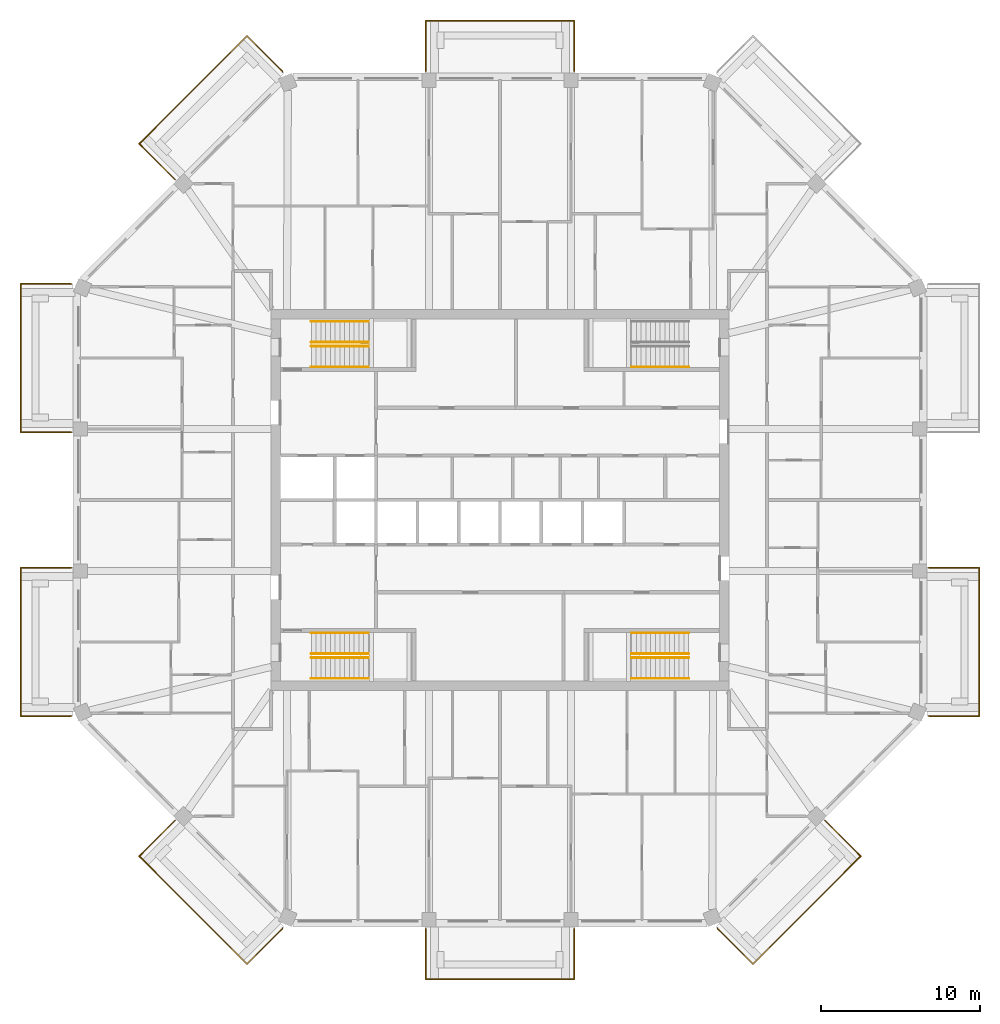
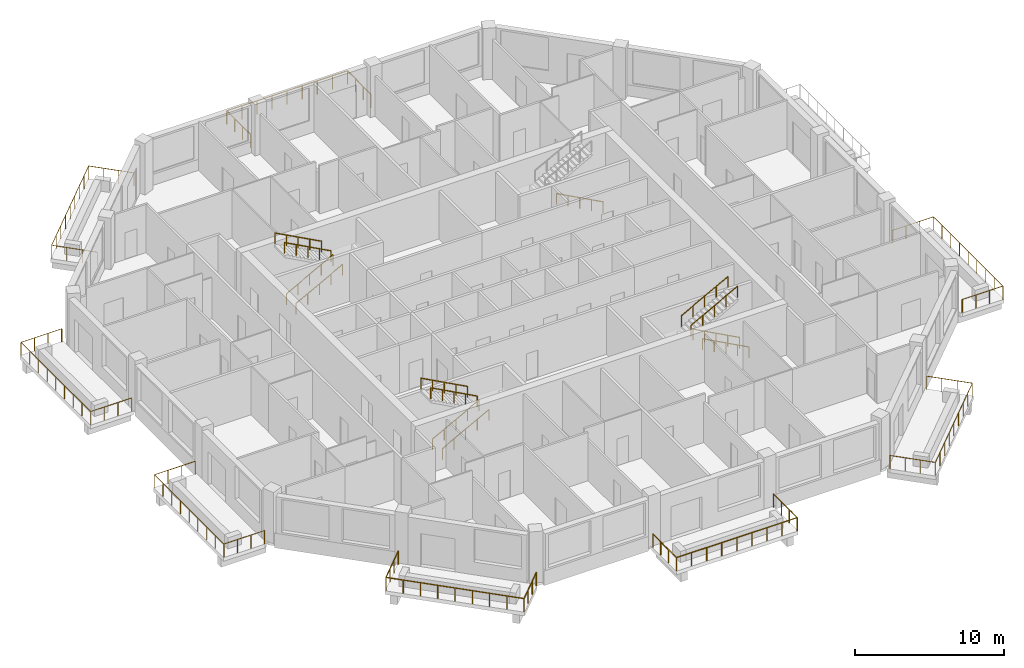
# One storey, part 11 of 12: 21 railings.
"""IFC4 building model written with IfcOpenShell, lengths in metres."""

from ifc_helpers import new_model, si_unit, direction, frame, origin, origin_2d, place, context, subcontext, project, spatial, circle, extrude, material, constituent, constituent_set, type_object, element, save


model = new_model("IFC4")

# Units and contexts
model_context = context("Model", 3, precision=1e-05, world=origin(), true_north=direction((0.0, 1.0)))
body_context = subcontext(model_context, "Body", "Model", "MODEL_VIEW")
ifc_project = project(units=[si_unit("LENGTHUNIT", "METRE"), si_unit("AREAUNIT", "SQUARE_METRE"), si_unit("VOLUMEUNIT", "CUBIC_METRE"), si_unit("PLANEANGLEUNIT", "RADIAN"), si_unit("MASSUNIT", "GRAM", prefix="KILO")], contexts=[model_context])

# Site, building, storey
site_placement = place(None, origin())
site = spatial("IfcSite", under=ifc_project, at=site_placement, CompositionType="ELEMENT")
building_placement = place(site_placement, origin())
building = spatial("IfcBuilding", under=site, at=building_placement, Name="Msitu Wima Residences", CompositionType="ELEMENT")
storey_placement = place(building_placement, frame((0.0, 0.0, 276.89990234375)))
storey = spatial("IfcBuildingStorey", under=building, at=storey_placement, Name="L64", CompositionType="ELEMENT", Elevation=276.89990234375)

# Railings
ifc_material_1 = material(Name="Steel S355", Category="steel")
ifc_constituent_1 = constituent(ifc_material_1, Name="Steel S355")
ifc_material_2 = material(Name="Weathering patina")
ifc_constituent_2 = constituent(ifc_material_2, Name="Weathering patina")
ifc_constituent_set_1 = constituent_set(constituents=[ifc_constituent_1, ifc_constituent_2], Name="Steel S355")
railing_type_1 = type_object("IfcRailingType", Name="Balcony guard GR1100", PredefinedType="GUARDRAIL", material=ifc_constituent_set_1)
railing_1_placement = place(storey_placement, frame((26.97998046875, -4.2685546875, 0.0)))
element("IfcRailing", 1, at=railing_1_placement, inside=storey, type_object=railing_type_1, Name="Balcony guard E0 L64", PredefinedType="GUARDRAIL", context=body_context, shape_type="SweptSolid", body=[
    extrude(circle(Radius=0.02392578125, at=origin_2d()), frame((0.0, 0.0, 1.076171875), z_axis=(1.0, 0.0, 0.0), x_axis=(0.0, 1.0, 0.0)), (0.0, 0.0, 1.0), 3.169921875),
    extrude(circle(Radius=0.02392578125, at=origin_2d()), frame((3.169921875, 0.0, 1.076171875), z_axis=(0.0, -1.0, 0.0), x_axis=(1.0, 0.0, 0.0)), (0.0, 0.0, 1.0), 9.33740234375),
    extrude(circle(Radius=0.02392578125, at=origin_2d()), frame((3.169921875, -9.33740234375, 1.076171875), z_axis=(-1.0, 0.0, 0.0), x_axis=(0.0, -1.0, 0.0)), (0.0, 0.0, 1.0), 3.136474609375),
    extrude(circle(Radius=0.02392578125, at=origin_2d()), frame((0.033447265625, -9.33740234375, 1.076171875), z_axis=(-0.923276184907, 0.384136806859, 0.0), x_axis=(-0.384136806859, -0.923276184907, 0.0)), (0.0, 0.0, 1.0), 0.0361328125),
    extrude(circle(Radius=0.02099609375, at=origin_2d()), origin(), (0.0, 0.0, 1.0), 1.052001953125),
    extrude(circle(Radius=0.02099609375, at=origin_2d()), frame((1.056640625, 0.0, 0.0)), (0.0, 0.0, 1.0), 1.052001953125),
    extrude(circle(Radius=0.02099609375, at=origin_2d()), frame((2.11328125, 0.0, 0.0)), (0.0, 0.0, 1.0), 1.052001953125),
    extrude(circle(Radius=0.02099609375, at=origin_2d()), frame((3.169921875, 0.0, 0.0)), (0.0, 0.0, 1.0), 1.052001953125),
    extrude(circle(Radius=0.02099609375, at=origin_2d()), frame((3.169921875, -1.167236328125, 0.0)), (0.0, 0.0, 1.0), 1.052001953125),
    extrude(circle(Radius=0.02099609375, at=origin_2d()), frame((3.169921875, -2.33447265625, 0.0)), (0.0, 0.0, 1.0), 1.052001953125),
    extrude(circle(Radius=0.02099609375, at=origin_2d()), frame((3.169921875, -3.50146484375, 0.0)), (0.0, 0.0, 1.0), 1.052001953125),
    extrude(circle(Radius=0.02099609375, at=origin_2d()), frame((3.169921875, -4.668701171875, 0.0)), (0.0, 0.0, 1.0), 1.052001953125),
    extrude(circle(Radius=0.02099609375, at=origin_2d()), frame((3.169921875, -5.8359375, 0.0)), (0.0, 0.0, 1.0), 1.052001953125),
    extrude(circle(Radius=0.02099609375, at=origin_2d()), frame((3.169921875, -7.0029296875, 0.0)), (0.0, 0.0, 1.0), 1.052001953125),
    extrude(circle(Radius=0.02099609375, at=origin_2d()), frame((3.169921875, -8.170166015625, 0.0)), (0.0, 0.0, 1.0), 1.052001953125),
    extrude(circle(Radius=0.02099609375, at=origin_2d()), frame((3.169921875, -9.33740234375, 0.0)), (0.0, 0.0, 1.0), 1.052001953125),
    extrude(circle(Radius=0.02099609375, at=origin_2d()), frame((2.12451171875, -9.33740234375, 0.0)), (0.0, 0.0, 1.0), 1.052001953125),
    extrude(circle(Radius=0.02099609375, at=origin_2d()), frame((1.078857421875, -9.33740234375, 0.0)), (0.0, 0.0, 1.0), 1.052001953125),
    extrude(circle(Radius=0.02099609375, at=origin_2d()), frame((0.033447265625, -9.33740234375, 0.0)), (0.0, 0.0, 1.0), 1.052001953125),
    extrude(circle(Radius=0.02099609375, at=origin_2d()), frame((0.0, -9.323486328125, 0.0)), (0.0, 0.0, 1.0), 1.052001953125),
])
railing_2_placement = place(storey_placement, frame((-4.668701171875, 26.97998046875, 0.0)))
element("IfcRailing", 2, at=railing_2_placement, inside=storey, type_object=railing_type_1, Name="Balcony guard N1 L64", PredefinedType="GUARDRAIL", context=body_context, shape_type="SweptSolid", body=[
    extrude(circle(Radius=0.02392578125, at=origin_2d()), frame((0.0, 0.0, 1.076171875), z_axis=(0.0, 1.0, 0.0), x_axis=(-1.0, 0.0, 0.0)), (0.0, 0.0, 1.0), 3.169921875),
    extrude(circle(Radius=0.02392578125, at=origin_2d()), frame((0.0, 3.169921875, 1.076171875), z_axis=(1.0, 0.0, 0.0), x_axis=(0.0, 1.0, 0.0)), (0.0, 0.0, 1.0), 9.33740234375),
    extrude(circle(Radius=0.02392578125, at=origin_2d()), frame((9.33740234375, 3.169921875, 1.076171875), z_axis=(0.0, -1.0, 0.0), x_axis=(1.0, 0.0, 0.0)), (0.0, 0.0, 1.0), 3.169921875),
    extrude(circle(Radius=0.02099609375, at=origin_2d()), origin(), (0.0, 0.0, 1.0), 1.052001953125),
    extrude(circle(Radius=0.02099609375, at=origin_2d()), frame((0.0, 1.056640625, 0.0)), (0.0, 0.0, 1.0), 1.052001953125),
    extrude(circle(Radius=0.02099609375, at=origin_2d()), frame((0.0, 2.11328125, 0.0)), (0.0, 0.0, 1.0), 1.052001953125),
    extrude(circle(Radius=0.02099609375, at=origin_2d()), frame((0.0, 3.169921875, 0.0)), (0.0, 0.0, 1.0), 1.052001953125),
    extrude(circle(Radius=0.02099609375, at=origin_2d()), frame((1.167236328125, 3.169921875, 0.0)), (0.0, 0.0, 1.0), 1.052001953125),
    extrude(circle(Radius=0.02099609375, at=origin_2d()), frame((2.33447265625, 3.169921875, 0.0)), (0.0, 0.0, 1.0), 1.052001953125),
    extrude(circle(Radius=0.02099609375, at=origin_2d()), frame((3.50146484375, 3.169921875, 0.0)), (0.0, 0.0, 1.0), 1.052001953125),
    extrude(circle(Radius=0.02099609375, at=origin_2d()), frame((4.668701171875, 3.169921875, 0.0)), (0.0, 0.0, 1.0), 1.052001953125),
    extrude(circle(Radius=0.02099609375, at=origin_2d()), frame((5.8359375, 3.169921875, 0.0)), (0.0, 0.0, 1.0), 1.052001953125),
    extrude(circle(Radius=0.02099609375, at=origin_2d()), frame((7.0029296875, 3.169921875, 0.0)), (0.0, 0.0, 1.0), 1.052001953125),
    extrude(circle(Radius=0.02099609375, at=origin_2d()), frame((8.170166015625, 3.169921875, 0.0)), (0.0, 0.0, 1.0), 1.052001953125),
    extrude(circle(Radius=0.02099609375, at=origin_2d()), frame((9.33740234375, 3.169921875, 0.0)), (0.0, 0.0, 1.0), 1.052001953125),
    extrude(circle(Radius=0.02099609375, at=origin_2d()), frame((9.33740234375, 2.11328125, 0.0)), (0.0, 0.0, 1.0), 1.052001953125),
    extrude(circle(Radius=0.02099609375, at=origin_2d()), frame((9.33740234375, 1.056640625, 0.0)), (0.0, 0.0, 1.0), 1.052001953125),
    extrude(circle(Radius=0.02099609375, at=origin_2d()), frame((9.33740234375, 0.0, 0.0)), (0.0, 0.0, 1.0), 1.052001953125),
])
railing_3_placement = place(storey_placement, frame((-20.45458984375, 20.171630859375, 0.0)))
element("IfcRailing", 3, at=railing_3_placement, inside=storey, type_object=railing_type_1, Name="Balcony guard NW0 L64", PredefinedType="GUARDRAIL", context=body_context, shape_type="SweptSolid", body=[
    extrude(circle(Radius=0.02392578125, at=origin_2d()), frame((0.0, 0.0, 1.076171875), z_axis=(-0.707106781187, 0.707106781187, 0.0), x_axis=(-0.707106781187, -0.707106781187, 0.0)), (0.0, 0.0, 1.0), 3.169921875),
    extrude(circle(Radius=0.02392578125, at=origin_2d()), frame((-2.241455078125, 2.241455078125, 1.076171875), z_axis=(0.707106781187, 0.707106781187, 0.0), x_axis=(-0.707106781187, 0.707106781187, 0.0)), (0.0, 0.0, 1.0), 9.58837890625),
    extrude(circle(Radius=0.02392578125, at=origin_2d()), frame((4.53857421875, 9.021484375, 1.076171875), z_axis=(0.707106781187, -0.707106781187, 0.0), x_axis=(0.707106781187, 0.707106781187, 0.0)), (0.0, 0.0, 1.0), 3.136474609375),
    extrude(circle(Radius=0.02392578125, at=origin_2d()), frame((6.75634765625, 6.8037109375, 1.076171875), z_axis=(0.38176015442, -0.92426142649, 0.0), x_axis=(0.92426142649, 0.38176015442, 0.0)), (0.0, 0.0, 1.0), 0.036376953125),
    extrude(circle(Radius=0.02099609375, at=origin_2d()), origin(), (0.0, 0.0, 1.0), 1.052001953125),
    extrude(circle(Radius=0.02099609375, at=origin_2d()), frame((-0.7470703125, 0.7470703125, 0.0)), (0.0, 0.0, 1.0), 1.052001953125),
    extrude(circle(Radius=0.02099609375, at=origin_2d()), frame((-1.494384765625, 1.494384765625, 0.0)), (0.0, 0.0, 1.0), 1.052001953125),
    extrude(circle(Radius=0.02099609375, at=origin_2d()), frame((-2.241455078125, 2.241455078125, 0.0)), (0.0, 0.0, 1.0), 1.052001953125),
    extrude(circle(Radius=0.02099609375, at=origin_2d()), frame((-1.39404296875, 3.0888671875, 0.0)), (0.0, 0.0, 1.0), 1.052001953125),
    extrude(circle(Radius=0.02099609375, at=origin_2d()), frame((-0.54638671875, 3.9365234375, 0.0)), (0.0, 0.0, 1.0), 1.052001953125),
    extrude(circle(Radius=0.02099609375, at=origin_2d()), frame((0.301025390625, 4.783935546875, 0.0)), (0.0, 0.0, 1.0), 1.052001953125),
    extrude(circle(Radius=0.02099609375, at=origin_2d()), frame((1.1484375, 5.63134765625, 0.0)), (0.0, 0.0, 1.0), 1.052001953125),
    extrude(circle(Radius=0.02099609375, at=origin_2d()), frame((1.99609375, 6.47900390625, 0.0)), (0.0, 0.0, 1.0), 1.052001953125),
    extrude(circle(Radius=0.02099609375, at=origin_2d()), frame((2.843505859375, 7.326416015625, 0.0)), (0.0, 0.0, 1.0), 1.052001953125),
    extrude(circle(Radius=0.02099609375, at=origin_2d()), frame((3.691162109375, 8.174072265625, 0.0)), (0.0, 0.0, 1.0), 1.052001953125),
    extrude(circle(Radius=0.02099609375, at=origin_2d()), frame((4.53857421875, 9.021484375, 0.0)), (0.0, 0.0, 1.0), 1.052001953125),
    extrude(circle(Radius=0.02099609375, at=origin_2d()), frame((5.27783203125, 8.2822265625, 0.0)), (0.0, 0.0, 1.0), 1.052001953125),
    extrude(circle(Radius=0.02099609375, at=origin_2d()), frame((6.01708984375, 7.54296875, 0.0)), (0.0, 0.0, 1.0), 1.052001953125),
    extrude(circle(Radius=0.02099609375, at=origin_2d()), frame((6.75634765625, 6.8037109375, 0.0)), (0.0, 0.0, 1.0), 1.052001953125),
    extrude(circle(Radius=0.02099609375, at=origin_2d()), frame((6.770263671875, 6.77001953125, 0.0)), (0.0, 0.0, 1.0), 1.052001953125),
])
railing_4_placement = place(storey_placement, frame((-26.97998046875, 4.2685546875, 0.0)))
element("IfcRailing", 4, at=railing_4_placement, inside=storey, type_object=railing_type_1, Name="Balcony guard W0 L64", PredefinedType="GUARDRAIL", context=body_context, shape_type="SweptSolid", body=[
    extrude(circle(Radius=0.02392578125, at=origin_2d()), frame((0.0, 0.0, 1.076171875), z_axis=(-1.0, 0.0, 0.0), x_axis=(0.0, -1.0, 0.0)), (0.0, 0.0, 1.0), 3.169921875),
    extrude(circle(Radius=0.02392578125, at=origin_2d()), frame((-3.169921875, 0.0, 1.076171875), z_axis=(0.0, 1.0, 0.0), x_axis=(-1.0, 0.0, 0.0)), (0.0, 0.0, 1.0), 9.33740234375),
    extrude(circle(Radius=0.02392578125, at=origin_2d()), frame((-3.169921875, 9.33740234375, 1.076171875), z_axis=(1.0, 0.0, 0.0), x_axis=(0.0, 1.0, 0.0)), (0.0, 0.0, 1.0), 3.136474609375),
    extrude(circle(Radius=0.02392578125, at=origin_2d()), frame((-0.033447265625, 9.33740234375, 1.076171875), z_axis=(0.923276184907, -0.384136806859, 0.0), x_axis=(0.384136806859, 0.923276184907, 0.0)), (0.0, 0.0, 1.0), 0.0361328125),
    extrude(circle(Radius=0.02099609375, at=origin_2d()), origin(), (0.0, 0.0, 1.0), 1.052001953125),
    extrude(circle(Radius=0.02099609375, at=origin_2d()), frame((-1.056640625, 0.0, 0.0)), (0.0, 0.0, 1.0), 1.052001953125),
    extrude(circle(Radius=0.02099609375, at=origin_2d()), frame((-2.11328125, 0.0, 0.0)), (0.0, 0.0, 1.0), 1.052001953125),
    extrude(circle(Radius=0.02099609375, at=origin_2d()), frame((-3.169921875, 0.0, 0.0)), (0.0, 0.0, 1.0), 1.052001953125),
    extrude(circle(Radius=0.02099609375, at=origin_2d()), frame((-3.169921875, 1.167236328125, 0.0)), (0.0, 0.0, 1.0), 1.052001953125),
    extrude(circle(Radius=0.02099609375, at=origin_2d()), frame((-3.169921875, 2.33447265625, 0.0)), (0.0, 0.0, 1.0), 1.052001953125),
    extrude(circle(Radius=0.02099609375, at=origin_2d()), frame((-3.169921875, 3.50146484375, 0.0)), (0.0, 0.0, 1.0), 1.052001953125),
    extrude(circle(Radius=0.02099609375, at=origin_2d()), frame((-3.169921875, 4.668701171875, 0.0)), (0.0, 0.0, 1.0), 1.052001953125),
    extrude(circle(Radius=0.02099609375, at=origin_2d()), frame((-3.169921875, 5.8359375, 0.0)), (0.0, 0.0, 1.0), 1.052001953125),
    extrude(circle(Radius=0.02099609375, at=origin_2d()), frame((-3.169921875, 7.0029296875, 0.0)), (0.0, 0.0, 1.0), 1.052001953125),
    extrude(circle(Radius=0.02099609375, at=origin_2d()), frame((-3.169921875, 8.170166015625, 0.0)), (0.0, 0.0, 1.0), 1.052001953125),
    extrude(circle(Radius=0.02099609375, at=origin_2d()), frame((-3.169921875, 9.33740234375, 0.0)), (0.0, 0.0, 1.0), 1.052001953125),
    extrude(circle(Radius=0.02099609375, at=origin_2d()), frame((-2.12451171875, 9.33740234375, 0.0)), (0.0, 0.0, 1.0), 1.052001953125),
    extrude(circle(Radius=0.02099609375, at=origin_2d()), frame((-1.078857421875, 9.33740234375, 0.0)), (0.0, 0.0, 1.0), 1.052001953125),
    extrude(circle(Radius=0.02099609375, at=origin_2d()), frame((-0.033447265625, 9.33740234375, 0.0)), (0.0, 0.0, 1.0), 1.052001953125),
    extrude(circle(Radius=0.02099609375, at=origin_2d()), frame((0.0, 9.323486328125, 0.0)), (0.0, 0.0, 1.0), 1.052001953125),
])
railing_5_placement = place(storey_placement, frame((-26.97998046875, -13.592041015625, 0.0)))
element("IfcRailing", 5, at=railing_5_placement, inside=storey, type_object=railing_type_1, Name="Balcony guard W2 L64", PredefinedType="GUARDRAIL", context=body_context, shape_type="SweptSolid", body=[
    extrude(circle(Radius=0.02392578125, at=origin_2d()), frame((0.0, 0.0, 1.076171875), z_axis=(-0.923276184907, -0.384136806859, 0.0), x_axis=(0.384136806859, -0.923276184907, 0.0)), (0.0, 0.0, 1.0), 0.0361328125),
    extrude(circle(Radius=0.02392578125, at=origin_2d()), frame((-0.033447265625, -0.013916015625, 1.076171875), z_axis=(-1.0, 0.0, 0.0), x_axis=(0.0, -1.0, 0.0)), (0.0, 0.0, 1.0), 3.136474609375),
    extrude(circle(Radius=0.02392578125, at=origin_2d()), frame((-3.169921875, -0.013916015625, 1.076171875), z_axis=(0.0, 1.0, 0.0), x_axis=(-1.0, 0.0, 0.0)), (0.0, 0.0, 1.0), 9.33740234375),
    extrude(circle(Radius=0.02392578125, at=origin_2d()), frame((-3.169921875, 9.323486328125, 1.076171875), z_axis=(1.0, 0.0, 0.0), x_axis=(0.0, 1.0, 0.0)), (0.0, 0.0, 1.0), 3.169921875),
    extrude(circle(Radius=0.02099609375, at=origin_2d()), origin(), (0.0, 0.0, 1.0), 1.052001953125),
    extrude(circle(Radius=0.02099609375, at=origin_2d()), frame((-0.033447265625, -0.013916015625, 0.0)), (0.0, 0.0, 1.0), 1.052001953125),
    extrude(circle(Radius=0.02099609375, at=origin_2d()), frame((-1.078857421875, -0.013916015625, 0.0)), (0.0, 0.0, 1.0), 1.052001953125),
    extrude(circle(Radius=0.02099609375, at=origin_2d()), frame((-2.12451171875, -0.013916015625, 0.0)), (0.0, 0.0, 1.0), 1.052001953125),
    extrude(circle(Radius=0.02099609375, at=origin_2d()), frame((-3.169921875, -0.013916015625, 0.0)), (0.0, 0.0, 1.0), 1.052001953125),
    extrude(circle(Radius=0.02099609375, at=origin_2d()), frame((-3.169921875, 1.1533203125, 0.0)), (0.0, 0.0, 1.0), 1.052001953125),
    extrude(circle(Radius=0.02099609375, at=origin_2d()), frame((-3.169921875, 2.3203125, 0.0)), (0.0, 0.0, 1.0), 1.052001953125),
    extrude(circle(Radius=0.02099609375, at=origin_2d()), frame((-3.169921875, 3.487548828125, 0.0)), (0.0, 0.0, 1.0), 1.052001953125),
    extrude(circle(Radius=0.02099609375, at=origin_2d()), frame((-3.169921875, 4.65478515625, 0.0)), (0.0, 0.0, 1.0), 1.052001953125),
    extrude(circle(Radius=0.02099609375, at=origin_2d()), frame((-3.169921875, 5.822021484375, 0.0)), (0.0, 0.0, 1.0), 1.052001953125),
    extrude(circle(Radius=0.02099609375, at=origin_2d()), frame((-3.169921875, 6.9892578125, 0.0)), (0.0, 0.0, 1.0), 1.052001953125),
    extrude(circle(Radius=0.02099609375, at=origin_2d()), frame((-3.169921875, 8.15625, 0.0)), (0.0, 0.0, 1.0), 1.052001953125),
    extrude(circle(Radius=0.02099609375, at=origin_2d()), frame((-3.169921875, 9.323486328125, 0.0)), (0.0, 0.0, 1.0), 1.052001953125),
    extrude(circle(Radius=0.02099609375, at=origin_2d()), frame((-2.11328125, 9.323486328125, 0.0)), (0.0, 0.0, 1.0), 1.052001953125),
    extrude(circle(Radius=0.02099609375, at=origin_2d()), frame((-1.056640625, 9.323486328125, 0.0)), (0.0, 0.0, 1.0), 1.052001953125),
    extrude(circle(Radius=0.02099609375, at=origin_2d()), frame((0.0, 9.323486328125, 0.0)), (0.0, 0.0, 1.0), 1.052001953125),
])
railing_6_placement = place(storey_placement, frame((-13.684326171875, -26.941650390625, 0.0)))
element("IfcRailing", 6, at=railing_6_placement, inside=storey, type_object=railing_type_1, Name="Balcony guard SW1 L64", PredefinedType="GUARDRAIL", context=body_context, shape_type="SweptSolid", body=[
    extrude(circle(Radius=0.02392578125, at=origin_2d()), frame((0.0, 0.0, 1.076171875), z_axis=(-0.38176015442, -0.92426142649, 0.0), x_axis=(0.92426142649, -0.38176015442, 0.0)), (0.0, 0.0, 1.0), 0.036376953125),
    extrude(circle(Radius=0.02392578125, at=origin_2d()), frame((-0.013916015625, -0.03369140625, 1.076171875), z_axis=(-0.707106781187, -0.707106781187, 0.0), x_axis=(0.707106781187, -0.707106781187, 0.0)), (0.0, 0.0, 1.0), 3.136474609375),
    extrude(circle(Radius=0.02392578125, at=origin_2d()), frame((-2.231689453125, -2.25146484375, 1.076171875), z_axis=(-0.707106781187, 0.707106781187, 0.0), x_axis=(-0.707106781187, -0.707106781187, 0.0)), (0.0, 0.0, 1.0), 9.58837890625),
    extrude(circle(Radius=0.02392578125, at=origin_2d()), frame((-9.01171875, 4.528564453125, 1.076171875), z_axis=(0.707106781187, 0.707106781187, 0.0), x_axis=(-0.707106781187, 0.707106781187, 0.0)), (0.0, 0.0, 1.0), 3.169921875),
    extrude(circle(Radius=0.02099609375, at=origin_2d()), origin(), (0.0, 0.0, 1.0), 1.052001953125),
    extrude(circle(Radius=0.02099609375, at=origin_2d()), frame((-0.013916015625, -0.03369140625, 0.0)), (0.0, 0.0, 1.0), 1.052001953125),
    extrude(circle(Radius=0.02099609375, at=origin_2d()), frame((-0.753173828125, -0.77294921875, 0.0)), (0.0, 0.0, 1.0), 1.052001953125),
    extrude(circle(Radius=0.02099609375, at=origin_2d()), frame((-1.492431640625, -1.51220703125, 0.0)), (0.0, 0.0, 1.0), 1.052001953125),
    extrude(circle(Radius=0.02099609375, at=origin_2d()), frame((-2.231689453125, -2.25146484375, 0.0)), (0.0, 0.0, 1.0), 1.052001953125),
    extrude(circle(Radius=0.02099609375, at=origin_2d()), frame((-3.0791015625, -1.404052734375, 0.0)), (0.0, 0.0, 1.0), 1.052001953125),
    extrude(circle(Radius=0.02099609375, at=origin_2d()), frame((-3.9267578125, -0.556396484375, 0.0)), (0.0, 0.0, 1.0), 1.052001953125),
    extrude(circle(Radius=0.02099609375, at=origin_2d()), frame((-4.774169921875, 0.291015625, 0.0)), (0.0, 0.0, 1.0), 1.052001953125),
    extrude(circle(Radius=0.02099609375, at=origin_2d()), frame((-5.62158203125, 1.138671875, 0.0)), (0.0, 0.0, 1.0), 1.052001953125),
    extrude(circle(Radius=0.02099609375, at=origin_2d()), frame((-6.46923828125, 1.986083984375, 0.0)), (0.0, 0.0, 1.0), 1.052001953125),
    extrude(circle(Radius=0.02099609375, at=origin_2d()), frame((-7.316650390625, 2.83349609375, 0.0)), (0.0, 0.0, 1.0), 1.052001953125),
    extrude(circle(Radius=0.02099609375, at=origin_2d()), frame((-8.164306640625, 3.68115234375, 0.0)), (0.0, 0.0, 1.0), 1.052001953125),
    extrude(circle(Radius=0.02099609375, at=origin_2d()), frame((-9.01171875, 4.528564453125, 0.0)), (0.0, 0.0, 1.0), 1.052001953125),
    extrude(circle(Radius=0.02099609375, at=origin_2d()), frame((-8.2646484375, 5.275634765625, 0.0)), (0.0, 0.0, 1.0), 1.052001953125),
    extrude(circle(Radius=0.02099609375, at=origin_2d()), frame((-7.517333984375, 6.02294921875, 0.0)), (0.0, 0.0, 1.0), 1.052001953125),
    extrude(circle(Radius=0.02099609375, at=origin_2d()), frame((-6.770263671875, 6.77001953125, 0.0)), (0.0, 0.0, 1.0), 1.052001953125),
])
railing_7_placement = place(storey_placement, frame((4.668701171875, -26.97998046875, 0.0)))
element("IfcRailing", 7, at=railing_7_placement, inside=storey, type_object=railing_type_1, Name="Balcony guard S1 L64", PredefinedType="GUARDRAIL", context=body_context, shape_type="SweptSolid", body=[
    extrude(circle(Radius=0.02392578125, at=origin_2d()), frame((0.0, 0.0, 1.076171875), z_axis=(0.0, -1.0, 0.0), x_axis=(1.0, 0.0, 0.0)), (0.0, 0.0, 1.0), 3.169921875),
    extrude(circle(Radius=0.02392578125, at=origin_2d()), frame((0.0, -3.169921875, 1.076171875), z_axis=(-1.0, 0.0, 0.0), x_axis=(0.0, -1.0, 0.0)), (0.0, 0.0, 1.0), 9.33740234375),
    extrude(circle(Radius=0.02392578125, at=origin_2d()), frame((-9.33740234375, -3.169921875, 1.076171875), z_axis=(0.0, 1.0, 0.0), x_axis=(-1.0, 0.0, 0.0)), (0.0, 0.0, 1.0), 3.169921875),
    extrude(circle(Radius=0.02099609375, at=origin_2d()), origin(), (0.0, 0.0, 1.0), 1.052001953125),
    extrude(circle(Radius=0.02099609375, at=origin_2d()), frame((0.0, -1.056640625, 0.0)), (0.0, 0.0, 1.0), 1.052001953125),
    extrude(circle(Radius=0.02099609375, at=origin_2d()), frame((0.0, -2.11328125, 0.0)), (0.0, 0.0, 1.0), 1.052001953125),
    extrude(circle(Radius=0.02099609375, at=origin_2d()), frame((0.0, -3.169921875, 0.0)), (0.0, 0.0, 1.0), 1.052001953125),
    extrude(circle(Radius=0.02099609375, at=origin_2d()), frame((-1.167236328125, -3.169921875, 0.0)), (0.0, 0.0, 1.0), 1.052001953125),
    extrude(circle(Radius=0.02099609375, at=origin_2d()), frame((-2.33447265625, -3.169921875, 0.0)), (0.0, 0.0, 1.0), 1.052001953125),
    extrude(circle(Radius=0.02099609375, at=origin_2d()), frame((-3.50146484375, -3.169921875, 0.0)), (0.0, 0.0, 1.0), 1.052001953125),
    extrude(circle(Radius=0.02099609375, at=origin_2d()), frame((-4.668701171875, -3.169921875, 0.0)), (0.0, 0.0, 1.0), 1.052001953125),
    extrude(circle(Radius=0.02099609375, at=origin_2d()), frame((-5.8359375, -3.169921875, 0.0)), (0.0, 0.0, 1.0), 1.052001953125),
    extrude(circle(Radius=0.02099609375, at=origin_2d()), frame((-7.0029296875, -3.169921875, 0.0)), (0.0, 0.0, 1.0), 1.052001953125),
    extrude(circle(Radius=0.02099609375, at=origin_2d()), frame((-8.170166015625, -3.169921875, 0.0)), (0.0, 0.0, 1.0), 1.052001953125),
    extrude(circle(Radius=0.02099609375, at=origin_2d()), frame((-9.33740234375, -3.169921875, 0.0)), (0.0, 0.0, 1.0), 1.052001953125),
    extrude(circle(Radius=0.02099609375, at=origin_2d()), frame((-9.33740234375, -2.11328125, 0.0)), (0.0, 0.0, 1.0), 1.052001953125),
    extrude(circle(Radius=0.02099609375, at=origin_2d()), frame((-9.33740234375, -1.056640625, 0.0)), (0.0, 0.0, 1.0), 1.052001953125),
    extrude(circle(Radius=0.02099609375, at=origin_2d()), frame((-9.33740234375, 0.0, 0.0)), (0.0, 0.0, 1.0), 1.052001953125),
])
railing_8_placement = place(storey_placement, frame((20.45458984375, -20.171630859375, 0.0)))
element("IfcRailing", 8, at=railing_8_placement, inside=storey, type_object=railing_type_1, Name="Balcony guard SE0 L64", PredefinedType="GUARDRAIL", context=body_context, shape_type="SweptSolid", body=[
    extrude(circle(Radius=0.02392578125, at=origin_2d()), frame((0.0, 0.0, 1.076171875), z_axis=(0.707106781187, -0.707106781187, 0.0), x_axis=(0.707106781187, 0.707106781187, 0.0)), (0.0, 0.0, 1.0), 3.169921875),
    extrude(circle(Radius=0.02392578125, at=origin_2d()), frame((2.241455078125, -2.241455078125, 1.076171875), z_axis=(-0.707106781187, -0.707106781187, 0.0), x_axis=(0.707106781187, -0.707106781187, 0.0)), (0.0, 0.0, 1.0), 9.58837890625),
    extrude(circle(Radius=0.02392578125, at=origin_2d()), frame((-4.53857421875, -9.021484375, 1.076171875), z_axis=(-0.707106781187, 0.707106781187, 0.0), x_axis=(-0.707106781187, -0.707106781187, 0.0)), (0.0, 0.0, 1.0), 3.136474609375),
    extrude(circle(Radius=0.02392578125, at=origin_2d()), frame((-6.75634765625, -6.8037109375, 1.076171875), z_axis=(-0.38176015442, 0.92426142649, 0.0), x_axis=(-0.92426142649, -0.38176015442, 0.0)), (0.0, 0.0, 1.0), 0.036376953125),
    extrude(circle(Radius=0.02099609375, at=origin_2d()), origin(), (0.0, 0.0, 1.0), 1.052001953125),
    extrude(circle(Radius=0.02099609375, at=origin_2d()), frame((0.7470703125, -0.7470703125, 0.0)), (0.0, 0.0, 1.0), 1.052001953125),
    extrude(circle(Radius=0.02099609375, at=origin_2d()), frame((1.494384765625, -1.494384765625, 0.0)), (0.0, 0.0, 1.0), 1.052001953125),
    extrude(circle(Radius=0.02099609375, at=origin_2d()), frame((2.241455078125, -2.241455078125, 0.0)), (0.0, 0.0, 1.0), 1.052001953125),
    extrude(circle(Radius=0.02099609375, at=origin_2d()), frame((1.39404296875, -3.0888671875, 0.0)), (0.0, 0.0, 1.0), 1.052001953125),
    extrude(circle(Radius=0.02099609375, at=origin_2d()), frame((0.54638671875, -3.9365234375, 0.0)), (0.0, 0.0, 1.0), 1.052001953125),
    extrude(circle(Radius=0.02099609375, at=origin_2d()), frame((-0.301025390625, -4.783935546875, 0.0)), (0.0, 0.0, 1.0), 1.052001953125),
    extrude(circle(Radius=0.02099609375, at=origin_2d()), frame((-1.1484375, -5.63134765625, 0.0)), (0.0, 0.0, 1.0), 1.052001953125),
    extrude(circle(Radius=0.02099609375, at=origin_2d()), frame((-1.99609375, -6.47900390625, 0.0)), (0.0, 0.0, 1.0), 1.052001953125),
    extrude(circle(Radius=0.02099609375, at=origin_2d()), frame((-2.843505859375, -7.326416015625, 0.0)), (0.0, 0.0, 1.0), 1.052001953125),
    extrude(circle(Radius=0.02099609375, at=origin_2d()), frame((-3.691162109375, -8.174072265625, 0.0)), (0.0, 0.0, 1.0), 1.052001953125),
    extrude(circle(Radius=0.02099609375, at=origin_2d()), frame((-4.53857421875, -9.021484375, 0.0)), (0.0, 0.0, 1.0), 1.052001953125),
    extrude(circle(Radius=0.02099609375, at=origin_2d()), frame((-5.27783203125, -8.2822265625, 0.0)), (0.0, 0.0, 1.0), 1.052001953125),
    extrude(circle(Radius=0.02099609375, at=origin_2d()), frame((-6.01708984375, -7.54296875, 0.0)), (0.0, 0.0, 1.0), 1.052001953125),
    extrude(circle(Radius=0.02099609375, at=origin_2d()), frame((-6.75634765625, -6.8037109375, 0.0)), (0.0, 0.0, 1.0), 1.052001953125),
    extrude(circle(Radius=0.02099609375, at=origin_2d()), frame((-6.770263671875, -6.77001953125, 0.0)), (0.0, 0.0, 1.0), 1.052001953125),
])
ifc_constituent_3 = constituent(ifc_material_1, Name="Steel S355")
ifc_material_3 = material(Name="Black powder coating")
ifc_constituent_4 = constituent(ifc_material_3, Name="Black powder coating")
ifc_constituent_set_2 = constituent_set(constituents=[ifc_constituent_3, ifc_constituent_4], Name="Steel S355")
railing_type_2 = type_object("IfcRailingType", Name="Stair handrail HR1", PredefinedType="HANDRAIL", material=ifc_constituent_set_2)
for number, where, name in (
    (9, (-11.875, 8.375, 0.16162109375), "Stair 1 handrail"),
    (10, (-11.875, 9.675048828125, 0.16162109375), "Stair 1 handrail"),
):
    element("IfcRailing", number, at=place(storey_placement, frame(where)), inside=storey, type_object=railing_type_2, Name=name, PredefinedType="HANDRAIL", context=body_context, shape_type="SweptSolid", body=[
        extrude(circle(Radius=0.02392578125, at=origin_2d()), frame((0.0, 0.0, 0.8759765625), z_axis=(0.880474934443, 0.0, 0.474092701714), x_axis=(0.0, 1.0, 0.0)), (0.0, 0.0, 1.0), 4.0888671875),
        extrude(circle(Radius=0.02099609375, at=origin_2d()), origin(), (0.0, 0.0, 1.0), 0.851806640625),
        extrude(circle(Radius=0.02099609375, at=origin_2d()), frame((0.89990234375, 0.0, 0.484619140625)), (0.0, 0.0, 1.0), 0.851806640625),
        extrude(circle(Radius=0.02099609375, at=origin_2d()), frame((1.800048828125, 0.0, 0.96923828125)), (0.0, 0.0, 1.0), 0.851806640625),
        extrude(circle(Radius=0.02099609375, at=origin_2d()), frame((2.7001953125, 0.0, 1.453857421875)), (0.0, 0.0, 1.0), 0.851806640625),
        extrude(circle(Radius=0.02099609375, at=origin_2d()), frame((3.60009765625, 0.0, 1.9384765625)), (0.0, 0.0, 1.0), 0.851806640625),
    ])
for number, where, name in (
    (11, (-8.27490234375, 9.925048828125, 2.26171875), "Stair 1 handrail"),
    (12, (-8.27490234375, 11.22509765625, 2.26171875), "Stair 1 handrail"),
):
    element("IfcRailing", number, at=place(storey_placement, frame(where)), inside=storey, type_object=railing_type_2, Name=name, PredefinedType="HANDRAIL", context=body_context, shape_type="SweptSolid", body=[
        extrude(circle(Radius=0.02392578125, at=origin_2d()), frame((0.0, 0.0, 0.8759765625), z_axis=(-0.880474934443, 0.0, 0.474092701714), x_axis=(0.0, -1.0, 0.0)), (0.0, 0.0, 1.0), 4.0888671875),
        extrude(circle(Radius=0.02099609375, at=origin_2d()), origin(), (0.0, 0.0, 1.0), 0.851806640625),
        extrude(circle(Radius=0.02099609375, at=origin_2d()), frame((-0.89990234375, 0.0, 0.484619140625)), (0.0, 0.0, 1.0), 0.851806640625),
        extrude(circle(Radius=0.02099609375, at=origin_2d()), frame((-1.800048828125, 0.0, 0.96923828125)), (0.0, 0.0, 1.0), 0.851806640625),
        extrude(circle(Radius=0.02099609375, at=origin_2d()), frame((-2.7001953125, 0.0, 1.453857421875)), (0.0, 0.0, 1.0), 0.851806640625),
        extrude(circle(Radius=0.02099609375, at=origin_2d()), frame((-3.60009765625, 0.0, 1.9384765625)), (0.0, 0.0, 1.0), 0.851806640625),
    ])
for number, where, name in (
    (13, (-11.875, -11.22509765625, 0.16162109375), "Stair 2 handrail"),
    (14, (-11.875, -9.925048828125, 0.16162109375), "Stair 2 handrail"),
):
    element("IfcRailing", number, at=place(storey_placement, frame(where)), inside=storey, type_object=railing_type_2, Name=name, PredefinedType="HANDRAIL", context=body_context, shape_type="SweptSolid", body=[
        extrude(circle(Radius=0.02392578125, at=origin_2d()), frame((0.0, 0.0, 0.8759765625), z_axis=(0.880474934443, 0.0, 0.474092701714), x_axis=(0.0, 1.0, 0.0)), (0.0, 0.0, 1.0), 4.0888671875),
        extrude(circle(Radius=0.02099609375, at=origin_2d()), origin(), (0.0, 0.0, 1.0), 0.851806640625),
        extrude(circle(Radius=0.02099609375, at=origin_2d()), frame((0.89990234375, 0.0, 0.484619140625)), (0.0, 0.0, 1.0), 0.851806640625),
        extrude(circle(Radius=0.02099609375, at=origin_2d()), frame((1.800048828125, 0.0, 0.96923828125)), (0.0, 0.0, 1.0), 0.851806640625),
        extrude(circle(Radius=0.02099609375, at=origin_2d()), frame((2.7001953125, 0.0, 1.453857421875)), (0.0, 0.0, 1.0), 0.851806640625),
        extrude(circle(Radius=0.02099609375, at=origin_2d()), frame((3.60009765625, 0.0, 1.9384765625)), (0.0, 0.0, 1.0), 0.851806640625),
    ])
for number, where, name in (
    (15, (-8.27490234375, -9.675048828125, 2.26171875), "Stair 2 handrail"),
    (16, (-8.27490234375, -8.375, 2.26171875), "Stair 2 handrail"),
    (17, (11.875, 8.375, 0.16162109375), "Stair 3 handrail"),
    (18, (11.875, -11.22509765625, 0.16162109375), "Stair 4 handrail"),
    (19, (11.875, -9.925048828125, 0.16162109375), "Stair 4 handrail"),
):
    element("IfcRailing", number, at=place(storey_placement, frame(where)), inside=storey, type_object=railing_type_2, Name=name, PredefinedType="HANDRAIL", context=body_context, shape_type="SweptSolid", body=[
        extrude(circle(Radius=0.02392578125, at=origin_2d()), frame((0.0, 0.0, 0.8759765625), z_axis=(-0.880474934443, 0.0, 0.474092701714), x_axis=(0.0, -1.0, 0.0)), (0.0, 0.0, 1.0), 4.0888671875),
        extrude(circle(Radius=0.02099609375, at=origin_2d()), origin(), (0.0, 0.0, 1.0), 0.851806640625),
        extrude(circle(Radius=0.02099609375, at=origin_2d()), frame((-0.89990234375, 0.0, 0.484619140625)), (0.0, 0.0, 1.0), 0.851806640625),
        extrude(circle(Radius=0.02099609375, at=origin_2d()), frame((-1.800048828125, 0.0, 0.96923828125)), (0.0, 0.0, 1.0), 0.851806640625),
        extrude(circle(Radius=0.02099609375, at=origin_2d()), frame((-2.7001953125, 0.0, 1.453857421875)), (0.0, 0.0, 1.0), 0.851806640625),
        extrude(circle(Radius=0.02099609375, at=origin_2d()), frame((-3.60009765625, 0.0, 1.9384765625)), (0.0, 0.0, 1.0), 0.851806640625),
    ])
for number, where, name in (
    (20, (8.27490234375, -9.675048828125, 2.26171875), "Stair 4 handrail"),
    (21, (8.27490234375, -8.375, 2.26171875), "Stair 4 handrail"),
):
    element("IfcRailing", number, at=place(storey_placement, frame(where)), inside=storey, type_object=railing_type_2, Name=name, PredefinedType="HANDRAIL", context=body_context, shape_type="SweptSolid", body=[
        extrude(circle(Radius=0.02392578125, at=origin_2d()), frame((0.0, 0.0, 0.8759765625), z_axis=(0.880474934443, 0.0, 0.474092701714), x_axis=(0.0, 1.0, 0.0)), (0.0, 0.0, 1.0), 4.0888671875),
        extrude(circle(Radius=0.02099609375, at=origin_2d()), origin(), (0.0, 0.0, 1.0), 0.851806640625),
        extrude(circle(Radius=0.02099609375, at=origin_2d()), frame((0.89990234375, 0.0, 0.484619140625)), (0.0, 0.0, 1.0), 0.851806640625),
        extrude(circle(Radius=0.02099609375, at=origin_2d()), frame((1.800048828125, 0.0, 0.96923828125)), (0.0, 0.0, 1.0), 0.851806640625),
        extrude(circle(Radius=0.02099609375, at=origin_2d()), frame((2.7001953125, 0.0, 1.453857421875)), (0.0, 0.0, 1.0), 0.851806640625),
        extrude(circle(Radius=0.02099609375, at=origin_2d()), frame((3.60009765625, 0.0, 1.9384765625)), (0.0, 0.0, 1.0), 0.851806640625),
    ])

save(model, "model.ifc")
